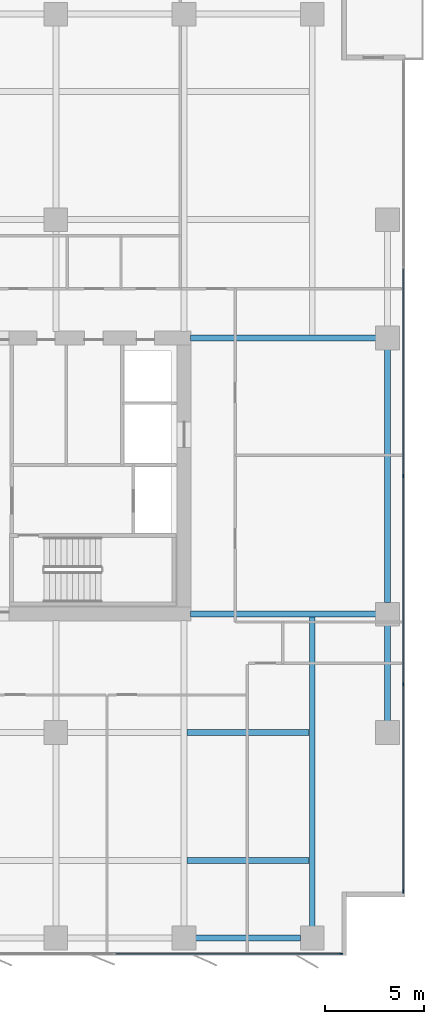
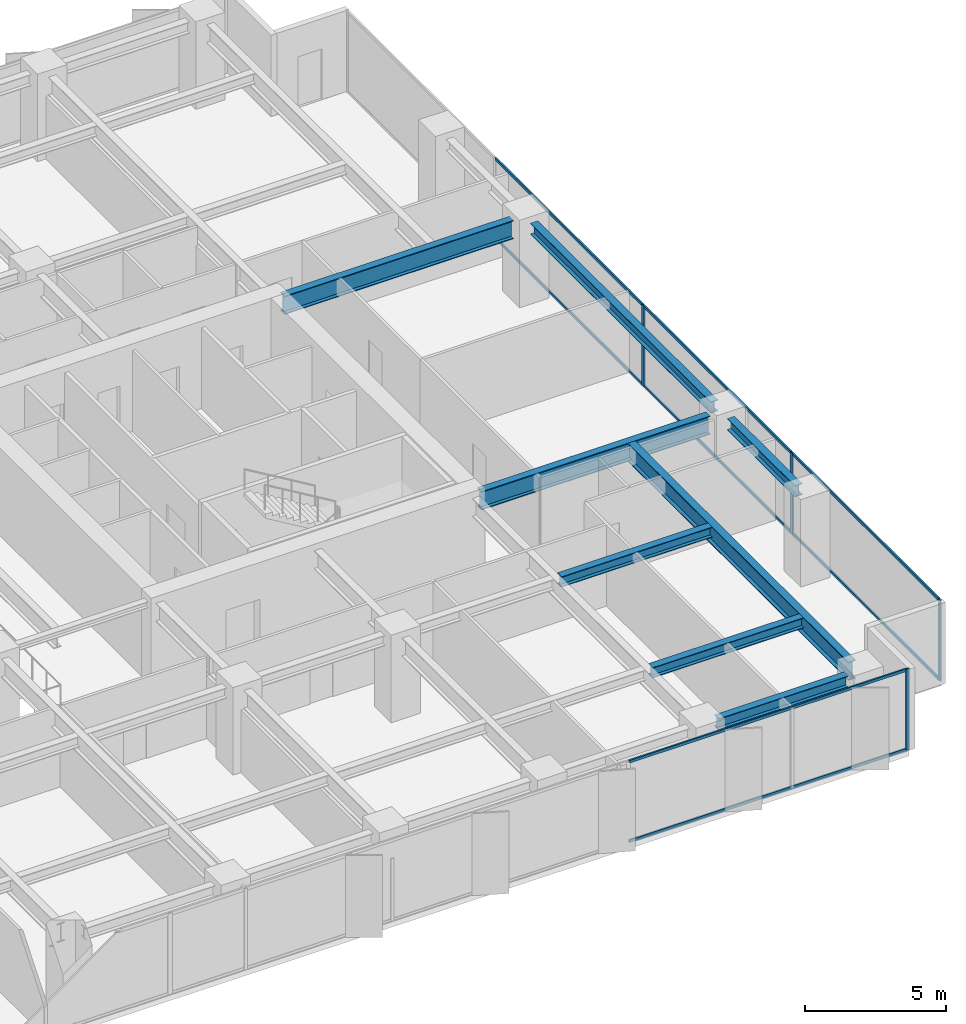
# One storey, part 10 of 20: 12 members, 8 beams, 2 elements without a shape of their own.
"""IFC4 building model written with IfcOpenShell, lengths in metres."""

from ifc_helpers import new_model, si_unit, direction, frame, origin, origin_2d, place, context, subcontext, project, spatial, rectangle, i_section, extrude, material, layer, layer_set, material_profile, profile_set, type_object, element, aggregate, save


model = new_model("IFC4")

# Units and contexts
model_context = context("Model", 3, precision=1e-05, world=origin(), true_north=direction((0.0, 1.0)))
body_context = subcontext(model_context, "Body", "Model", "MODEL_VIEW")
ifc_project = project(units=[si_unit("LENGTHUNIT", "METRE"), si_unit("AREAUNIT", "SQUARE_METRE"), si_unit("VOLUMEUNIT", "CUBIC_METRE"), si_unit("PLANEANGLEUNIT", "RADIAN"), si_unit("MASSUNIT", "GRAM", prefix="KILO")], contexts=[model_context])

# Site, building, storey
site_placement = place(None, origin())
site = spatial("IfcSite", under=ifc_project, at=site_placement, CompositionType="ELEMENT")
building_placement = place(site_placement, origin())
building = spatial("IfcBuilding", under=site, at=building_placement, Name="Putna Gate Headquarters", CompositionType="ELEMENT")
storey_placement = place(building_placement, frame((0.0, 0.0, 135.39990234375)))
storey = spatial("IfcBuildingStorey", under=building, at=storey_placement, Name="L33", CompositionType="ELEMENT", Elevation=135.39990234375)

# Beams
ifc_material_1 = material(Name="Steel S355J2", Category="steel")
ifc_material_profile_1 = material_profile(ifc_material_1, i_section(OverallWidth=0.300048828125, OverallDepth=0.800048828125, WebThickness=0.017578125, FlangeThickness=0.032958984375, at=origin_2d()), Name="Steel S355J2")
ifc_profile_set_1 = profile_set([ifc_material_profile_1], Name="Steel S355J2")
beam_type_1 = type_object("IfcBeamType", Name="BM-GIRD-P-HEB800", PredefinedType="USERDEFINED", material=ifc_profile_set_1)
for number, where, z_axis, x_axis, name in (
    (1, (65.3349609375, 19.0, 3.1201171875), (1.0, 0.0, 0.0), (0.0, 1.0, 0.0), "L33 East Wing Girder Y19"),
    (2, (65.3349609375, 33.0, 3.1201171875), (1.0, 0.0, 0.0), (0.0, 1.0, 0.0), "L33 East Wing Girder Y33"),
):
    element("IfcBeam", number, at=place(storey_placement, frame(where, z_axis=z_axis, x_axis=x_axis)), inside=storey, type_object=beam_type_1, Name=name, ObjectType="GIRDER", PredefinedType="USERDEFINED", context=body_context, shape_type="SweptSolid", body=[
        extrude(i_section(OverallWidth=0.300048828125, OverallDepth=0.800048828125, WebThickness=0.017578125, FlangeThickness=0.032958984375, at=origin_2d()), origin(), (0.0, 0.0, 1.0), 9.39697265625),
    ])
beam_1_placement = place(storey_placement, frame((71.5, 3.16796875, 3.1201171875), z_axis=(0.0, 1.0, 0.0), x_axis=(-1.0, 0.0, 0.0)))
element("IfcBeam", 3, at=beam_1_placement, inside=storey, type_object=beam_type_1, Name="L33 South Primary Girder X71", ObjectType="GIRDER", PredefinedType="USERDEFINED", context=body_context, shape_type="SweptSolid", body=[
    extrude(i_section(OverallWidth=0.300048828125, OverallDepth=0.800048828125, WebThickness=0.017578125, FlangeThickness=0.032958984375, at=origin_2d()), origin(), (0.0, 0.0, 1.0), 15.820068359375),
])
ifc_material_profile_2 = material_profile(ifc_material_1, i_section(OverallWidth=0.300048828125, OverallDepth=0.449951171875, WebThickness=0.013916015625, FlangeThickness=0.02587890625, at=origin_2d()), Name="Steel S355J2")
ifc_profile_set_2 = profile_set([ifc_material_profile_2], Name="Steel S355J2")
beam_type_2 = type_object("IfcBeamType", Name="BM-GIRD-Z5-HEB450", PredefinedType="USERDEFINED", material=ifc_profile_set_2)
for number, where, z_axis, x_axis, name in (
    (4, (65.154052734375, 6.5, 3.295166015625), (1.0, 0.0, 0.0), (0.0, 1.0, 0.0), "L33 South Secondary Beam 10"),
    (5, (65.154052734375, 13.0, 3.295166015625), (1.0, 0.0, 0.0), (0.0, 1.0, 0.0), "L33 South Secondary Beam 10"),
):
    element("IfcBeam", number, at=place(storey_placement, frame(where, z_axis=z_axis, x_axis=x_axis)), inside=storey, type_object=beam_type_2, Name=name, ObjectType="GIRDER", PredefinedType="USERDEFINED", context=body_context, shape_type="SweptSolid", body=[
        extrude(i_section(OverallWidth=0.300048828125, OverallDepth=0.449951171875, WebThickness=0.013916015625, FlangeThickness=0.02587890625, at=origin_2d()), origin(), (0.0, 0.0, 1.0), 6.19189453125),
    ])
ifc_material_profile_3 = material_profile(ifc_material_1, i_section(OverallWidth=0.300048828125, OverallDepth=0.489990234375, WebThickness=0.011962890625, FlangeThickness=0.02294921875, at=origin_2d()), Name="Steel S355J2")
ifc_profile_set_3 = profile_set([ifc_material_profile_3], Name="Steel S355J2")
beam_type_3 = type_object("IfcBeamType", Name="BM-SPAN-Z2-HEA500", PredefinedType="SPANDREL", material=ifc_profile_set_3)
beam_2_placement = place(storey_placement, frame((65.587890625, 2.580078125, 3.275146484375), z_axis=(1.0, 0.0, 0.0), x_axis=(0.0, 1.0, 0.0)))
element("IfcBeam", 6, at=beam_2_placement, inside=storey, type_object=beam_type_3, Name="L33 S Perimeter Spandrel 10", PredefinedType="SPANDREL", context=body_context, shape_type="SweptSolid", body=[
    extrude(i_section(OverallWidth=0.300048828125, OverallDepth=0.489990234375, WebThickness=0.011962890625, FlangeThickness=0.02294921875, at=origin_2d()), origin(), (0.0, 0.0, 1.0), 5.32421875),
])
beam_3_placement = place(storey_placement, frame((75.320068359375, 13.587890625, 3.275146484375), z_axis=(0.0, 1.0, 0.0), x_axis=(-1.0, 0.0, 0.0)))
element("IfcBeam", 7, at=beam_3_placement, inside=storey, type_object=beam_type_3, Name="L33 E End Spandrel 1", PredefinedType="SPANDREL", context=body_context, shape_type="SweptSolid", body=[
    extrude(i_section(OverallWidth=0.300048828125, OverallDepth=0.489990234375, WebThickness=0.011962890625, FlangeThickness=0.02294921875, at=origin_2d()), origin(), (0.0, 0.0, 1.0), 4.82421875),
])
beam_4_placement = place(storey_placement, frame((75.320068359375, 19.587890625, 3.275146484375), z_axis=(0.0, 1.0, 0.0), x_axis=(-1.0, 0.0, 0.0)))
element("IfcBeam", 8, at=beam_4_placement, inside=storey, type_object=beam_type_3, Name="L33 E End Spandrel 2", PredefinedType="SPANDREL", context=body_context, shape_type="SweptSolid", body=[
    extrude(i_section(OverallWidth=0.300048828125, OverallDepth=0.489990234375, WebThickness=0.011962890625, FlangeThickness=0.02294921875, at=origin_2d()), origin(), (0.0, 0.0, 1.0), 12.82421875),
])

# Curtain wall, member
ifc_material_2 = material(Name="Anodised bronze aluminium curtain wall", Category="aluminium")
ifc_layer = layer(ifc_material_2, 0.159912109375)
ifc_layer_set = layer_set([ifc_layer], Name="Anodised bronze aluminium curtain wall")
curtain_wall_type = type_object("IfcCurtainWallType", Name="CW-SYS-Z2", PredefinedType="USERDEFINED", material=ifc_layer_set)
curtain_wall_1_placement = place(storey_placement, origin())
curtain_wall_1 = element("IfcCurtainWall", 9, at=curtain_wall_1_placement, inside=storey, type_object=curtain_wall_type, Name="L33 South East Curtain Wall", ObjectType="STICK CURTAIN WALL", PredefinedType="USERDEFINED")
ifc_material_3 = material(Name="Anodised bronze aluminium EN AW-6060", Category="aluminium")
ifc_material_profile_4 = material_profile(ifc_material_3, rectangle(XDim=0.06494140625, YDim=0.159912109375, at=origin_2d()), Name="Anodised bronze aluminium EN AW-6060")
ifc_profile_set_4 = profile_set([ifc_material_profile_4], Name="Anodised bronze aluminium EN AW-6060")
member_type_1 = type_object("IfcMemberType", Name="MULL-CWM-2", PredefinedType="MULLION", material=ifc_profile_set_4)
member_1_placement = place(storey_placement, frame((72.967529296875, 1.780029296875, 0.0), z_axis=(0.0, 0.0, 1.0), x_axis=(0.0, 1.0, 0.0)))
member_1 = element("IfcMember", 10, at=member_1_placement, type_object=member_type_1, Name="CWS-2 mullion 3", PredefinedType="MULLION", context=body_context, shape_type="SweptSolid", body=[
    extrude(rectangle(XDim=0.06494140625, YDim=0.159912109375, at=origin_2d()), origin(), (0.0, 0.0, 1.0), 3.52001953125),
])

# Curtain wall, members
curtain_wall_2_placement = place(storey_placement, origin())
curtain_wall_2 = element("IfcCurtainWall", 11, at=curtain_wall_2_placement, inside=storey, type_object=curtain_wall_type, Name="L33 East Curtain Wall", ObjectType="STICK CURTAIN WALL", PredefinedType="USERDEFINED")
member_2_placement = place(storey_placement, frame((76.1201171875, 4.9326171875, 0.0), z_axis=(0.0, 0.0, 1.0), x_axis=(-1.0, 0.0, 0.0)))
member_2 = element("IfcMember", 12, at=member_2_placement, type_object=member_type_1, Name="CWS-2 mullion 1", PredefinedType="MULLION", context=body_context, shape_type="SweptSolid", body=[
    extrude(rectangle(XDim=0.06494140625, YDim=0.159912109375, at=origin_2d()), origin(), (0.0, 0.0, 1.0), 3.52001953125),
])
member_3_placement = place(storey_placement, frame((76.1201171875, 15.449951171875, 0.0), z_axis=(0.0, 0.0, 1.0), x_axis=(-1.0, 0.0, 0.0)))
member_3 = element("IfcMember", 13, at=member_3_placement, type_object=member_type_1, Name="CWS-2 mullion 2", PredefinedType="MULLION", context=body_context, shape_type="SweptSolid", body=[
    extrude(rectangle(XDim=0.06494140625, YDim=0.159912109375, at=origin_2d()), origin(), (0.0, 0.0, 1.0), 3.52001953125),
])
member_4_placement = place(storey_placement, frame((76.1201171875, 26.0, 0.0), z_axis=(0.0, 0.0, 1.0), x_axis=(-1.0, 0.0, 0.0)))
member_4 = element("IfcMember", 14, at=member_4_placement, type_object=member_type_1, Name="CWS-2 mullion 3", PredefinedType="MULLION", context=body_context, shape_type="SweptSolid", body=[
    extrude(rectangle(XDim=0.06494140625, YDim=0.159912109375, at=origin_2d()), origin(), (0.0, 0.0, 1.0), 3.52001953125),
])

# Member
ifc_material_profile_5 = material_profile(ifc_material_3, rectangle(XDim=0.06494140625, YDim=0.1201171875, at=origin_2d()), Name="Anodised bronze aluminium EN AW-6060")
ifc_profile_set_5 = profile_set([ifc_material_profile_5], Name="Anodised bronze aluminium EN AW-6060")
member_type_2 = type_object("IfcMemberType", Name="TRAN-CWT-2", PredefinedType="USERDEFINED", material=ifc_profile_set_5)
member_5_placement = place(storey_placement, frame((61.532470703125, 1.780029296875, 0.03271484375), z_axis=(1.0, 0.0, 0.0), x_axis=(0.0, 1.0, 0.0)))
member_5 = element("IfcMember", 15, at=member_5_placement, type_object=member_type_2, Name="CWS-2 transom 2.1", ObjectType="TRANSOM", PredefinedType="USERDEFINED", context=body_context, shape_type="SweptSolid", body=[
    extrude(rectangle(XDim=0.06494140625, YDim=0.1201171875, at=origin_2d()), origin(), (0.0, 0.0, 1.0), 11.402587890625),
])

member_6_placement = place(storey_placement, frame((61.532470703125, 1.780029296875, 3.487548828125), z_axis=(1.0, 0.0, 0.0), x_axis=(0.0, 1.0, 0.0)))
member_6 = element("IfcMember", 16, at=member_6_placement, type_object=member_type_2, Name="CWS-2 transom 2.2", ObjectType="TRANSOM", PredefinedType="USERDEFINED", context=body_context, shape_type="SweptSolid", body=[
    extrude(rectangle(XDim=0.06494140625, YDim=0.1201171875, at=origin_2d()), origin(), (0.0, 0.0, 1.0), 11.402587890625),
])

aggregate(curtain_wall_1, [member_1, member_5, member_6])

member_7_placement = place(storey_placement, frame((76.1201171875, 4.965087890625, 0.03271484375), z_axis=(0.0, 1.0, 0.0), x_axis=(-1.0, 0.0, 0.0)))
member_7 = element("IfcMember", 17, at=member_7_placement, type_object=member_type_2, Name="CWS-2 transom 1.1", ObjectType="TRANSOM", PredefinedType="USERDEFINED", context=body_context, shape_type="SweptSolid", body=[
    extrude(rectangle(XDim=0.06494140625, YDim=0.1201171875, at=origin_2d()), origin(), (0.0, 0.0, 1.0), 10.452392578125),
])

member_8_placement = place(storey_placement, frame((76.1201171875, 4.965087890625, 3.487548828125), z_axis=(0.0, 1.0, 0.0), x_axis=(-1.0, 0.0, 0.0)))
member_8 = element("IfcMember", 18, at=member_8_placement, type_object=member_type_2, Name="CWS-2 transom 1.2", ObjectType="TRANSOM", PredefinedType="USERDEFINED", context=body_context, shape_type="SweptSolid", body=[
    extrude(rectangle(XDim=0.06494140625, YDim=0.1201171875, at=origin_2d()), origin(), (0.0, 0.0, 1.0), 10.452392578125),
])

member_9_placement = place(storey_placement, frame((76.1201171875, 15.482421875, 0.03271484375), z_axis=(0.0, 1.0, 0.0), x_axis=(-1.0, 0.0, 0.0)))
member_9 = element("IfcMember", 19, at=member_9_placement, type_object=member_type_2, Name="CWS-2 transom 2.1", ObjectType="TRANSOM", PredefinedType="USERDEFINED", context=body_context, shape_type="SweptSolid", body=[
    extrude(rectangle(XDim=0.06494140625, YDim=0.1201171875, at=origin_2d()), origin(), (0.0, 0.0, 1.0), 10.485107421875),
])

member_10_placement = place(storey_placement, frame((76.1201171875, 15.482421875, 3.487548828125), z_axis=(0.0, 1.0, 0.0), x_axis=(-1.0, 0.0, 0.0)))
member_10 = element("IfcMember", 20, at=member_10_placement, type_object=member_type_2, Name="CWS-2 transom 2.2", ObjectType="TRANSOM", PredefinedType="USERDEFINED", context=body_context, shape_type="SweptSolid", body=[
    extrude(rectangle(XDim=0.06494140625, YDim=0.1201171875, at=origin_2d()), origin(), (0.0, 0.0, 1.0), 10.485107421875),
])

member_11_placement = place(storey_placement, frame((76.1201171875, 26.032470703125, 0.03271484375), z_axis=(0.0, 1.0, 0.0), x_axis=(-1.0, 0.0, 0.0)))
member_11 = element("IfcMember", 21, at=member_11_placement, type_object=member_type_2, Name="CWS-2 transom 3.1", ObjectType="TRANSOM", PredefinedType="USERDEFINED", context=body_context, shape_type="SweptSolid", body=[
    extrude(rectangle(XDim=0.06494140625, YDim=0.1201171875, at=origin_2d()), origin(), (0.0, 0.0, 1.0), 10.485107421875),
])

member_12_placement = place(storey_placement, frame((76.1201171875, 26.032470703125, 3.487548828125), z_axis=(0.0, 1.0, 0.0), x_axis=(-1.0, 0.0, 0.0)))
member_12 = element("IfcMember", 22, at=member_12_placement, type_object=member_type_2, Name="CWS-2 transom 3.2", ObjectType="TRANSOM", PredefinedType="USERDEFINED", context=body_context, shape_type="SweptSolid", body=[
    extrude(rectangle(XDim=0.06494140625, YDim=0.1201171875, at=origin_2d()), origin(), (0.0, 0.0, 1.0), 10.485107421875),
])

aggregate(curtain_wall_2, [member_2, member_3, member_4, member_7, member_8, member_9, member_10, member_11, member_12])

save(model, "model.ifc")
